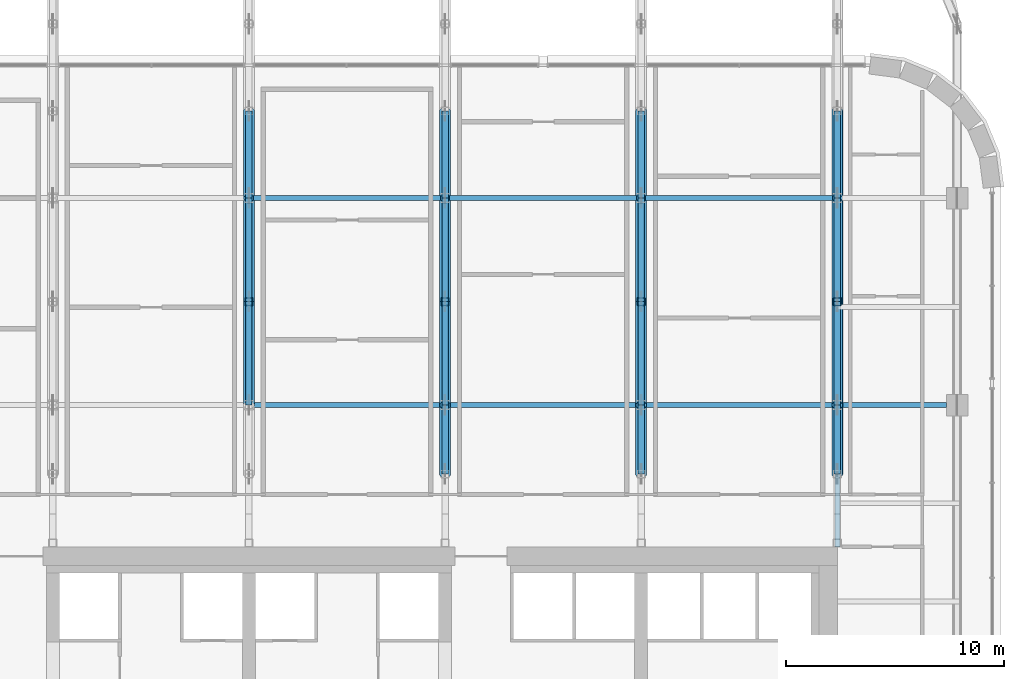
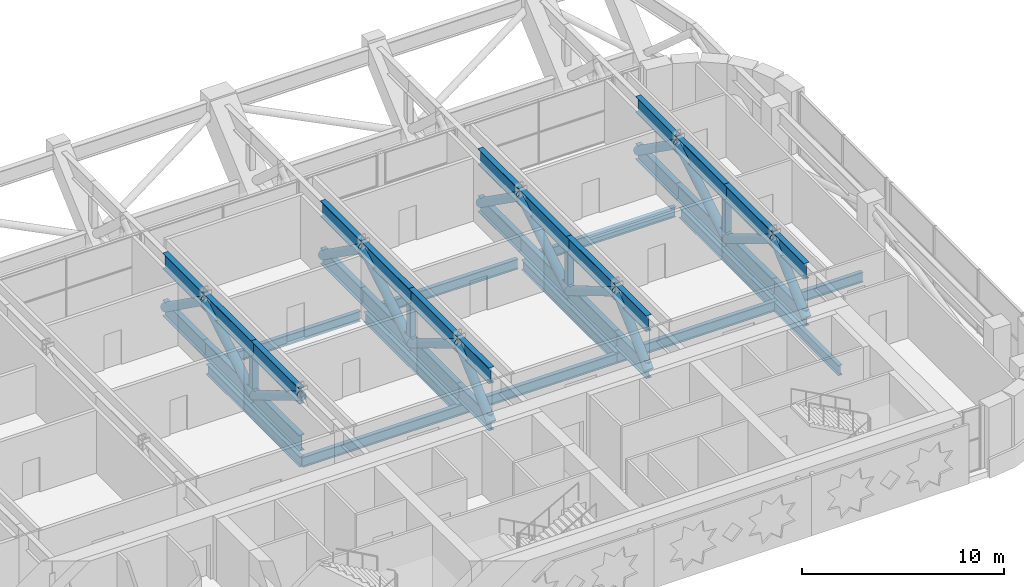
# One storey, part 5 of 23: 49 members, 9 beams.
"""IFC4 building model written with IfcOpenShell, lengths in metres."""

from ifc_helpers import new_model, si_unit, direction, frame, origin, origin_2d, place, context, subcontext, project, spatial, hollow_rectangle, hollow_circle, i_section, extrude, material, material_profile, profile_set, type_object, element, save


model = new_model("IFC4")

# Units and contexts
model_context = context("Model", 3, precision=1e-05, world=origin(), true_north=direction((0.0, 1.0)))
body_context = subcontext(model_context, "Body", "Model", "MODEL_VIEW")
ifc_project = project(units=[si_unit("LENGTHUNIT", "METRE"), si_unit("AREAUNIT", "SQUARE_METRE"), si_unit("VOLUMEUNIT", "CUBIC_METRE"), si_unit("PLANEANGLEUNIT", "RADIAN"), si_unit("MASSUNIT", "GRAM", prefix="KILO")], contexts=[model_context])

# Site, building, storey
site_placement = place(None, origin())
site = spatial("IfcSite", under=ifc_project, at=site_placement, CompositionType="ELEMENT")
building_placement = place(site_placement, origin())
building = spatial("IfcBuilding", under=site, at=building_placement, Name="Zellij Exchange Tower", CompositionType="ELEMENT")
storey_placement = place(building_placement, frame((0.0, 0.0, 160.5)))
storey = spatial("IfcBuildingStorey", under=building, at=storey_placement, Name="L36", CompositionType="ELEMENT", Elevation=160.5)

# Beams
ifc_material_1 = material(Name="Structural steel ASTM A992 Gr 50", Category="steel")
ifc_material_profile_1 = material_profile(ifc_material_1, i_section(OverallWidth=0.22900390625, OverallDepth=0.612060546875, WebThickness=0.011962890625, FlangeThickness=0.01953125, at=origin_2d()), Name="W24x84")
ifc_profile_set_1 = profile_set([ifc_material_profile_1], Name="Structural steel ASTM A992 Gr 50")
beam_type = type_object("IfcBeamType", Name="STR-GIRDER W24x84", PredefinedType="BEAM", material=ifc_profile_set_1)
beam_1_placement = place(storey_placement, frame((0.0, 4.5, -0.656005859375), z_axis=(1.0, 0.0, 0.0), x_axis=(0.0, 1.0, 0.0)))
element("IfcBeam", 1, at=beam_1_placement, inside=storey, type_object=beam_type, Name="G4", PredefinedType="BEAM", context=body_context, shape_type="SweptSolid", body=[
    extrude(i_section(OverallWidth=0.22900390625, OverallDepth=0.612060546875, WebThickness=0.011962890625, FlangeThickness=0.01953125, at=origin_2d()), origin(), (0.0, 0.0, 1.0), 18.0),
])
beam_2_placement = place(storey_placement, frame((18.0, 4.5, -0.656005859375), z_axis=(1.0, 0.0, 0.0), x_axis=(0.0, 1.0, 0.0)))
element("IfcBeam", 2, at=beam_2_placement, inside=storey, type_object=beam_type, Name="G4", PredefinedType="BEAM", context=body_context, shape_type="SweptSolid", body=[
    extrude(i_section(OverallWidth=0.22900390625, OverallDepth=0.612060546875, WebThickness=0.011962890625, FlangeThickness=0.01953125, at=origin_2d()), origin(), (0.0, 0.0, 1.0), 14.0),
])
beam_3_placement = place(storey_placement, frame((0.20947265625, 14.0, -0.656005859375), z_axis=(1.0, 0.0, 0.0), x_axis=(0.0, 1.0, 0.0)))
element("IfcBeam", 3, at=beam_3_placement, inside=storey, type_object=beam_type, Name="G4", PredefinedType="BEAM", context=body_context, shape_type="SweptSolid", body=[
    extrude(i_section(OverallWidth=0.22900390625, OverallDepth=0.612060546875, WebThickness=0.011962890625, FlangeThickness=0.01953125, at=origin_2d()), origin(), (0.0, 0.0, 1.0), 8.580810546875),
])
for number, where, z_axis, x_axis, name in (
    (4, (9.209716796875, 14.0, -0.656005859375), (1.0, 0.0, 0.0), (0.0, 1.0, 0.0), "G4"),
    (5, (18.209716796875, 14.0, -0.656005859375), (1.0, 0.0, 0.0), (0.0, 1.0, 0.0), "G4"),
):
    element("IfcBeam", number, at=place(storey_placement, frame(where, z_axis=z_axis, x_axis=x_axis)), inside=storey, type_object=beam_type, Name=name, PredefinedType="BEAM", context=body_context, shape_type="SweptSolid", body=[
        extrude(i_section(OverallWidth=0.22900390625, OverallDepth=0.612060546875, WebThickness=0.011962890625, FlangeThickness=0.01953125, at=origin_2d()), origin(), (0.0, 0.0, 1.0), 8.58056640625),
    ])
for number, where, z_axis, x_axis, name in (
    (6, (0.0, 4.5, -0.656005859375), (0.0, 1.0, 0.0), (-1.0, 0.0, 0.0), "G4"),
    (7, (9.0, 4.5, -0.656005859375), (0.0, 1.0, 0.0), (-1.0, 0.0, 0.0), "G4"),
    (8, (18.0, 4.5, -0.656005859375), (0.0, 1.0, 0.0), (-1.0, 0.0, 0.0), "G4"),
):
    element("IfcBeam", number, at=place(storey_placement, frame(where, z_axis=z_axis, x_axis=x_axis)), inside=storey, type_object=beam_type, Name=name, PredefinedType="BEAM", context=body_context, shape_type="SweptSolid", body=[
        extrude(i_section(OverallWidth=0.22900390625, OverallDepth=0.612060546875, WebThickness=0.011962890625, FlangeThickness=0.01953125, at=origin_2d()), origin(), (0.0, 0.0, 1.0), 9.272705078125),
    ])
beam_4_placement = place(storey_placement, frame((27.0, -2.0, -0.656005859375), z_axis=(0.0, 1.0, 0.0), x_axis=(-1.0, 0.0, 0.0)))
element("IfcBeam", 9, at=beam_4_placement, inside=storey, type_object=beam_type, Name="G4", PredefinedType="BEAM", context=body_context, shape_type="SweptSolid", body=[
    extrude(i_section(OverallWidth=0.22900390625, OverallDepth=0.612060546875, WebThickness=0.011962890625, FlangeThickness=0.01953125, at=origin_2d()), origin(), (0.0, 0.0, 1.0), 15.772705078125),
])

# Members
ifc_material_2 = material(Name="Structural steel ASTM A913 Gr 65", Category="steel")
ifc_material_profile_2 = material_profile(ifc_material_2, i_section(OverallWidth=0.2998046875, OverallDepth=0.965087890625, WebThickness=0.01904296875, FlangeThickness=0.0361328125, at=origin_2d()), Name="W40x249")
ifc_profile_set_2 = profile_set([ifc_material_profile_2], Name="Structural steel ASTM A913 Gr 65")
member_type_1 = type_object("IfcMemberType", Name="STR-OUTRIGGER TRUSS CHORD W40x249", PredefinedType="CHORD", material=ifc_profile_set_2)
for number, where, z_axis, x_axis, name in (
    (10, (0.0, 4.5, 3.3173828125), (0.0, 1.0, 0.0), (-1.0, 0.0, 0.0), "OT1"),
    (11, (0.0, 4.5, 0.482666015625), (0.0, 1.0, 0.0), (-1.0, 0.0, 0.0), "OT1"),
    (12, (0.0, 9.25, 3.3173828125), (0.0, 1.0, 0.0), (-1.0, 0.0, 0.0), "OT1"),
    (13, (0.0, 9.25, 0.482666015625), (0.0, 1.0, 0.0), (-1.0, 0.0, 0.0), "OT1"),
):
    element("IfcMember", number, at=place(storey_placement, frame(where, z_axis=z_axis, x_axis=x_axis)), inside=storey, type_object=member_type_1, Name=name, PredefinedType="CHORD", context=body_context, shape_type="SweptSolid", body=[
        extrude(i_section(OverallWidth=0.2998046875, OverallDepth=0.965087890625, WebThickness=0.01904296875, FlangeThickness=0.0361328125, at=origin_2d()), origin(), (0.0, 0.0, 1.0), 4.75),
    ])
for number, where, z_axis, x_axis, name in (
    (14, (0.0, 14.0, 3.3173828125), (0.0, 1.0, 0.0), (-1.0, 0.0, 0.0), "OT1"),
    (15, (0.0, 14.0, 0.482666015625), (0.0, 1.0, 0.0), (-1.0, 0.0, 0.0), "OT1"),
):
    element("IfcMember", number, at=place(storey_placement, frame(where, z_axis=z_axis, x_axis=x_axis)), inside=storey, type_object=member_type_1, Name=name, PredefinedType="CHORD", context=body_context, shape_type="SweptSolid", body=[
        extrude(i_section(OverallWidth=0.2998046875, OverallDepth=0.965087890625, WebThickness=0.01904296875, FlangeThickness=0.0361328125, at=origin_2d()), origin(), (0.0, 0.0, 1.0), 4.0),
    ])
for number, where, z_axis, x_axis, name in (
    (16, (9.0, 1.339111328125, 3.3173828125), (0.0, 1.0, 0.0), (-1.0, 0.0, 0.0), "OT1"),
    (17, (9.0, 1.339111328125, 0.482666015625), (0.0, 1.0, 0.0), (-1.0, 0.0, 0.0), "OT1"),
):
    element("IfcMember", number, at=place(storey_placement, frame(where, z_axis=z_axis, x_axis=x_axis)), inside=storey, type_object=member_type_1, Name=name, PredefinedType="CHORD", context=body_context, shape_type="SweptSolid", body=[
        extrude(i_section(OverallWidth=0.2998046875, OverallDepth=0.965087890625, WebThickness=0.01904296875, FlangeThickness=0.0361328125, at=origin_2d()), origin(), (0.0, 0.0, 1.0), 3.160888671875),
    ])
for number, where, z_axis, x_axis, name in (
    (18, (9.0, 4.5, 3.3173828125), (0.0, 1.0, 0.0), (-1.0, 0.0, 0.0), "OT1"),
    (19, (9.0, 4.5, 0.482666015625), (0.0, 1.0, 0.0), (-1.0, 0.0, 0.0), "OT1"),
    (20, (9.0, 9.25, 3.3173828125), (0.0, 1.0, 0.0), (-1.0, 0.0, 0.0), "OT1"),
    (21, (9.0, 9.25, 0.482666015625), (0.0, 1.0, 0.0), (-1.0, 0.0, 0.0), "OT1"),
):
    element("IfcMember", number, at=place(storey_placement, frame(where, z_axis=z_axis, x_axis=x_axis)), inside=storey, type_object=member_type_1, Name=name, PredefinedType="CHORD", context=body_context, shape_type="SweptSolid", body=[
        extrude(i_section(OverallWidth=0.2998046875, OverallDepth=0.965087890625, WebThickness=0.01904296875, FlangeThickness=0.0361328125, at=origin_2d()), origin(), (0.0, 0.0, 1.0), 4.75),
    ])
for number, where, z_axis, x_axis, name in (
    (22, (9.0, 14.0, 3.3173828125), (0.0, 1.0, 0.0), (-1.0, 0.0, 0.0), "OT1"),
    (23, (9.0, 14.0, 0.482666015625), (0.0, 1.0, 0.0), (-1.0, 0.0, 0.0), "OT1"),
):
    element("IfcMember", number, at=place(storey_placement, frame(where, z_axis=z_axis, x_axis=x_axis)), inside=storey, type_object=member_type_1, Name=name, PredefinedType="CHORD", context=body_context, shape_type="SweptSolid", body=[
        extrude(i_section(OverallWidth=0.2998046875, OverallDepth=0.965087890625, WebThickness=0.01904296875, FlangeThickness=0.0361328125, at=origin_2d()), origin(), (0.0, 0.0, 1.0), 4.0),
    ])
for number, where, z_axis, x_axis, name in (
    (24, (18.0, 1.339111328125, 3.3173828125), (0.0, 1.0, 0.0), (-1.0, 0.0, 0.0), "OT1"),
    (25, (18.0, 1.339111328125, 0.482666015625), (0.0, 1.0, 0.0), (-1.0, 0.0, 0.0), "OT1"),
):
    element("IfcMember", number, at=place(storey_placement, frame(where, z_axis=z_axis, x_axis=x_axis)), inside=storey, type_object=member_type_1, Name=name, PredefinedType="CHORD", context=body_context, shape_type="SweptSolid", body=[
        extrude(i_section(OverallWidth=0.2998046875, OverallDepth=0.965087890625, WebThickness=0.01904296875, FlangeThickness=0.0361328125, at=origin_2d()), origin(), (0.0, 0.0, 1.0), 3.160888671875),
    ])
for number, where, z_axis, x_axis, name in (
    (26, (18.0, 4.5, 3.3173828125), (0.0, 1.0, 0.0), (-1.0, 0.0, 0.0), "OT1"),
    (27, (18.0, 4.5, 0.482666015625), (0.0, 1.0, 0.0), (-1.0, 0.0, 0.0), "OT1"),
    (28, (18.0, 9.25, 3.3173828125), (0.0, 1.0, 0.0), (-1.0, 0.0, 0.0), "OT1"),
    (29, (18.0, 9.25, 0.482666015625), (0.0, 1.0, 0.0), (-1.0, 0.0, 0.0), "OT1"),
):
    element("IfcMember", number, at=place(storey_placement, frame(where, z_axis=z_axis, x_axis=x_axis)), inside=storey, type_object=member_type_1, Name=name, PredefinedType="CHORD", context=body_context, shape_type="SweptSolid", body=[
        extrude(i_section(OverallWidth=0.2998046875, OverallDepth=0.965087890625, WebThickness=0.01904296875, FlangeThickness=0.0361328125, at=origin_2d()), origin(), (0.0, 0.0, 1.0), 4.75),
    ])
for number, where, z_axis, x_axis, name in (
    (30, (18.0, 14.0, 3.3173828125), (0.0, 1.0, 0.0), (-1.0, 0.0, 0.0), "OT1"),
    (31, (18.0, 14.0, 0.482666015625), (0.0, 1.0, 0.0), (-1.0, 0.0, 0.0), "OT1"),
):
    element("IfcMember", number, at=place(storey_placement, frame(where, z_axis=z_axis, x_axis=x_axis)), inside=storey, type_object=member_type_1, Name=name, PredefinedType="CHORD", context=body_context, shape_type="SweptSolid", body=[
        extrude(i_section(OverallWidth=0.2998046875, OverallDepth=0.965087890625, WebThickness=0.01904296875, FlangeThickness=0.0361328125, at=origin_2d()), origin(), (0.0, 0.0, 1.0), 4.0),
    ])
for number, where, z_axis, x_axis, name in (
    (32, (27.0, 1.339111328125, 3.3173828125), (0.0, 1.0, 0.0), (-1.0, 0.0, 0.0), "OT1"),
    (33, (27.0, 1.339111328125, 0.482666015625), (0.0, 1.0, 0.0), (-1.0, 0.0, 0.0), "OT1"),
):
    element("IfcMember", number, at=place(storey_placement, frame(where, z_axis=z_axis, x_axis=x_axis)), inside=storey, type_object=member_type_1, Name=name, PredefinedType="CHORD", context=body_context, shape_type="SweptSolid", body=[
        extrude(i_section(OverallWidth=0.2998046875, OverallDepth=0.965087890625, WebThickness=0.01904296875, FlangeThickness=0.0361328125, at=origin_2d()), origin(), (0.0, 0.0, 1.0), 3.160888671875),
    ])
for number, where, z_axis, x_axis, name in (
    (34, (27.0, 4.5, 3.3173828125), (0.0, 1.0, 0.0), (-1.0, 0.0, 0.0), "OT1"),
    (35, (27.0, 4.5, 0.482666015625), (0.0, 1.0, 0.0), (-1.0, 0.0, 0.0), "OT1"),
    (36, (27.0, 9.25, 3.3173828125), (0.0, 1.0, 0.0), (-1.0, 0.0, 0.0), "OT1"),
    (37, (27.0, 9.25, 0.482666015625), (0.0, 1.0, 0.0), (-1.0, 0.0, 0.0), "OT1"),
):
    element("IfcMember", number, at=place(storey_placement, frame(where, z_axis=z_axis, x_axis=x_axis)), inside=storey, type_object=member_type_1, Name=name, PredefinedType="CHORD", context=body_context, shape_type="SweptSolid", body=[
        extrude(i_section(OverallWidth=0.2998046875, OverallDepth=0.965087890625, WebThickness=0.01904296875, FlangeThickness=0.0361328125, at=origin_2d()), origin(), (0.0, 0.0, 1.0), 4.75),
    ])
for number, where, z_axis, x_axis, name in (
    (38, (27.0, 14.0, 3.3173828125), (0.0, 1.0, 0.0), (-1.0, 0.0, 0.0), "OT1"),
    (39, (27.0, 14.0, 0.482666015625), (0.0, 1.0, 0.0), (-1.0, 0.0, 0.0), "OT1"),
):
    element("IfcMember", number, at=place(storey_placement, frame(where, z_axis=z_axis, x_axis=x_axis)), inside=storey, type_object=member_type_1, Name=name, PredefinedType="CHORD", context=body_context, shape_type="SweptSolid", body=[
        extrude(i_section(OverallWidth=0.2998046875, OverallDepth=0.965087890625, WebThickness=0.01904296875, FlangeThickness=0.0361328125, at=origin_2d()), origin(), (0.0, 0.0, 1.0), 4.0),
    ])
ifc_material_3 = material(Name="Structural steel ASTM A500 Gr C", Category="steel")
ifc_material_profile_3 = material_profile(ifc_material_3, hollow_circle(Radius=0.25390625, WallThickness=0.01171875, at=origin_2d()), Name="STR-OUTRIGGER TRUSS DIAGONAL HSS20.000x0.500")
ifc_profile_set_3 = profile_set([ifc_material_profile_3], Name="Structural steel ASTM A500 Gr C")
member_type_2 = type_object("IfcMemberType", Name="STR-OUTRIGGER TRUSS DIAGONAL HSS20.000x0.500", PredefinedType="BRACE", material=ifc_profile_set_3)
for number, where, z_axis, x_axis, name in (
    (40, (0.0, 4.5, 3.3173828125), (0.0, 0.858709450823, -0.512462758712), (-1.0, 0.0, 0.0), "OT2"),
    (41, (0.0, 9.25, 0.482666015625), (0.0, 0.858709450823, 0.512462758712), (-1.0, 0.0, 0.0), "OT2"),
):
    element("IfcMember", number, at=place(storey_placement, frame(where, z_axis=z_axis, x_axis=x_axis)), inside=storey, type_object=member_type_2, Name=name, PredefinedType="BRACE", context=body_context, shape_type="SweptSolid", body=[
        extrude(hollow_circle(Radius=0.25390625, WallThickness=0.01171875, at=origin_2d()), origin(), (0.0, 0.0, 1.0), 5.531494140625),
    ])
member_1_placement = place(storey_placement, frame((0.0, 14.0, 3.3173828125), z_axis=(0.0, 0.815891357609, -0.57820523396), x_axis=(-1.0, 0.0, 0.0)))
element("IfcMember", 42, at=member_1_placement, inside=storey, type_object=member_type_2, Name="OT2", PredefinedType="BRACE", context=body_context, shape_type="SweptSolid", body=[
    extrude(hollow_circle(Radius=0.25390625, WallThickness=0.01171875, at=origin_2d()), origin(), (0.0, 0.0, 1.0), 4.902587890625),
])
member_2_placement = place(storey_placement, frame((9.0, 1.339111328125, 0.482666015625), z_axis=(0.0, 0.744473836996, 0.667651635233), x_axis=(-1.0, 0.0, 0.0)))
element("IfcMember", 43, at=member_2_placement, inside=storey, type_object=member_type_2, Name="OT2", PredefinedType="BRACE", context=body_context, shape_type="SweptSolid", body=[
    extrude(hollow_circle(Radius=0.25390625, WallThickness=0.01171875, at=origin_2d()), origin(), (0.0, 0.0, 1.0), 4.245849609375),
])
for number, where, z_axis, x_axis, name in (
    (44, (9.0, 4.5, 3.3173828125), (0.0, 0.858709450823, -0.512462758712), (-1.0, 0.0, 0.0), "OT2"),
    (45, (9.0, 9.25, 0.482666015625), (0.0, 0.858709450823, 0.512462758712), (-1.0, 0.0, 0.0), "OT2"),
):
    element("IfcMember", number, at=place(storey_placement, frame(where, z_axis=z_axis, x_axis=x_axis)), inside=storey, type_object=member_type_2, Name=name, PredefinedType="BRACE", context=body_context, shape_type="SweptSolid", body=[
        extrude(hollow_circle(Radius=0.25390625, WallThickness=0.01171875, at=origin_2d()), origin(), (0.0, 0.0, 1.0), 5.531494140625),
    ])
member_3_placement = place(storey_placement, frame((9.0, 14.0, 3.3173828125), z_axis=(0.0, 0.815891357609, -0.57820523396), x_axis=(-1.0, 0.0, 0.0)))
element("IfcMember", 46, at=member_3_placement, inside=storey, type_object=member_type_2, Name="OT2", PredefinedType="BRACE", context=body_context, shape_type="SweptSolid", body=[
    extrude(hollow_circle(Radius=0.25390625, WallThickness=0.01171875, at=origin_2d()), origin(), (0.0, 0.0, 1.0), 4.902587890625),
])
member_4_placement = place(storey_placement, frame((18.0, 1.339111328125, 0.482666015625), z_axis=(0.0, 0.744473836996, 0.667651635233), x_axis=(-1.0, 0.0, 0.0)))
element("IfcMember", 47, at=member_4_placement, inside=storey, type_object=member_type_2, Name="OT2", PredefinedType="BRACE", context=body_context, shape_type="SweptSolid", body=[
    extrude(hollow_circle(Radius=0.25390625, WallThickness=0.01171875, at=origin_2d()), origin(), (0.0, 0.0, 1.0), 4.245849609375),
])
for number, where, z_axis, x_axis, name in (
    (48, (18.0, 4.5, 3.3173828125), (0.0, 0.858709450823, -0.512462758712), (-1.0, 0.0, 0.0), "OT2"),
    (49, (18.0, 9.25, 0.482666015625), (0.0, 0.858709450823, 0.512462758712), (-1.0, 0.0, 0.0), "OT2"),
):
    element("IfcMember", number, at=place(storey_placement, frame(where, z_axis=z_axis, x_axis=x_axis)), inside=storey, type_object=member_type_2, Name=name, PredefinedType="BRACE", context=body_context, shape_type="SweptSolid", body=[
        extrude(hollow_circle(Radius=0.25390625, WallThickness=0.01171875, at=origin_2d()), origin(), (0.0, 0.0, 1.0), 5.531494140625),
    ])
member_5_placement = place(storey_placement, frame((18.0, 14.0, 3.3173828125), z_axis=(0.0, 0.815891357609, -0.57820523396), x_axis=(-1.0, 0.0, 0.0)))
element("IfcMember", 50, at=member_5_placement, inside=storey, type_object=member_type_2, Name="OT2", PredefinedType="BRACE", context=body_context, shape_type="SweptSolid", body=[
    extrude(hollow_circle(Radius=0.25390625, WallThickness=0.01171875, at=origin_2d()), origin(), (0.0, 0.0, 1.0), 4.902587890625),
])
member_6_placement = place(storey_placement, frame((27.0, 1.339111328125, 0.482666015625), z_axis=(0.0, 0.744473836996, 0.667651635233), x_axis=(-1.0, 0.0, 0.0)))
element("IfcMember", 51, at=member_6_placement, inside=storey, type_object=member_type_2, Name="OT2", PredefinedType="BRACE", context=body_context, shape_type="SweptSolid", body=[
    extrude(hollow_circle(Radius=0.25390625, WallThickness=0.01171875, at=origin_2d()), origin(), (0.0, 0.0, 1.0), 4.245849609375),
])
for number, where, z_axis, x_axis, name in (
    (52, (27.0, 4.5, 3.3173828125), (0.0, 0.858709450823, -0.512462758712), (-1.0, 0.0, 0.0), "OT2"),
    (53, (27.0, 9.25, 0.482666015625), (0.0, 0.858709450823, 0.512462758712), (-1.0, 0.0, 0.0), "OT2"),
):
    element("IfcMember", number, at=place(storey_placement, frame(where, z_axis=z_axis, x_axis=x_axis)), inside=storey, type_object=member_type_2, Name=name, PredefinedType="BRACE", context=body_context, shape_type="SweptSolid", body=[
        extrude(hollow_circle(Radius=0.25390625, WallThickness=0.01171875, at=origin_2d()), origin(), (0.0, 0.0, 1.0), 5.531494140625),
    ])
member_7_placement = place(storey_placement, frame((27.0, 14.0, 3.3173828125), z_axis=(0.0, 0.815891357609, -0.57820523396), x_axis=(-1.0, 0.0, 0.0)))
element("IfcMember", 54, at=member_7_placement, inside=storey, type_object=member_type_2, Name="OT2", PredefinedType="BRACE", context=body_context, shape_type="SweptSolid", body=[
    extrude(hollow_circle(Radius=0.25390625, WallThickness=0.01171875, at=origin_2d()), origin(), (0.0, 0.0, 1.0), 4.902587890625),
])
ifc_material_profile_4 = material_profile(ifc_material_3, hollow_rectangle(XDim=0.355712890625, YDim=0.355712890625, WallThickness=0.01171875, InnerFilletRadius=0.01171875, OuterFilletRadius=0.023681640625, at=origin_2d()), Name="STR-OUTRIGGER TRUSS POST HSS14x14x1/2")
ifc_profile_set_4 = profile_set([ifc_material_profile_4], Name="Structural steel ASTM A500 Gr C")
member_type_3 = type_object("IfcMemberType", Name="STR-OUTRIGGER TRUSS POST HSS14x14x1/2", PredefinedType="POST", material=ifc_profile_set_4)
for number, where, z_axis, x_axis, name in (
    (55, (0.0, 9.25, 0.965087890625), (0.0, 0.0, 1.0), (1.0, 0.0, 0.0), "OT3"),
    (56, (9.0, 9.25, 0.965087890625), (0.0, 0.0, 1.0), (1.0, 0.0, 0.0), "OT3"),
    (57, (18.0, 9.25, 0.965087890625), (0.0, 0.0, 1.0), (1.0, 0.0, 0.0), "OT3"),
    (58, (27.0, 9.25, 0.965087890625), (0.0, 0.0, 1.0), (1.0, 0.0, 0.0), "OT3"),
):
    element("IfcMember", number, at=place(storey_placement, frame(where, z_axis=z_axis, x_axis=x_axis)), inside=storey, type_object=member_type_3, Name=name, PredefinedType="POST", context=body_context, shape_type="SweptSolid", body=[
        extrude(hollow_rectangle(XDim=0.355712890625, YDim=0.355712890625, WallThickness=0.01171875, InnerFilletRadius=0.01171875, OuterFilletRadius=0.023681640625, at=origin_2d()), origin(), (0.0, 0.0, 1.0), 1.86962890625),
    ])

save(model, "model.ifc")
